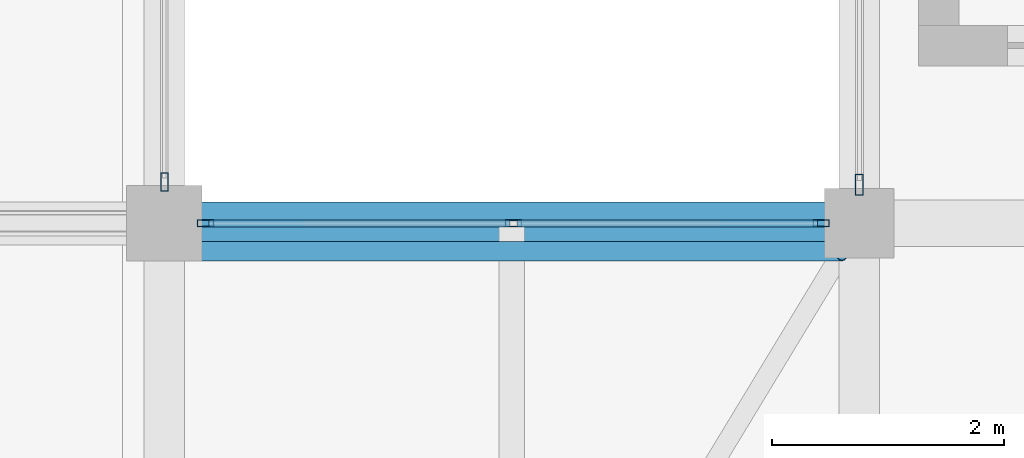
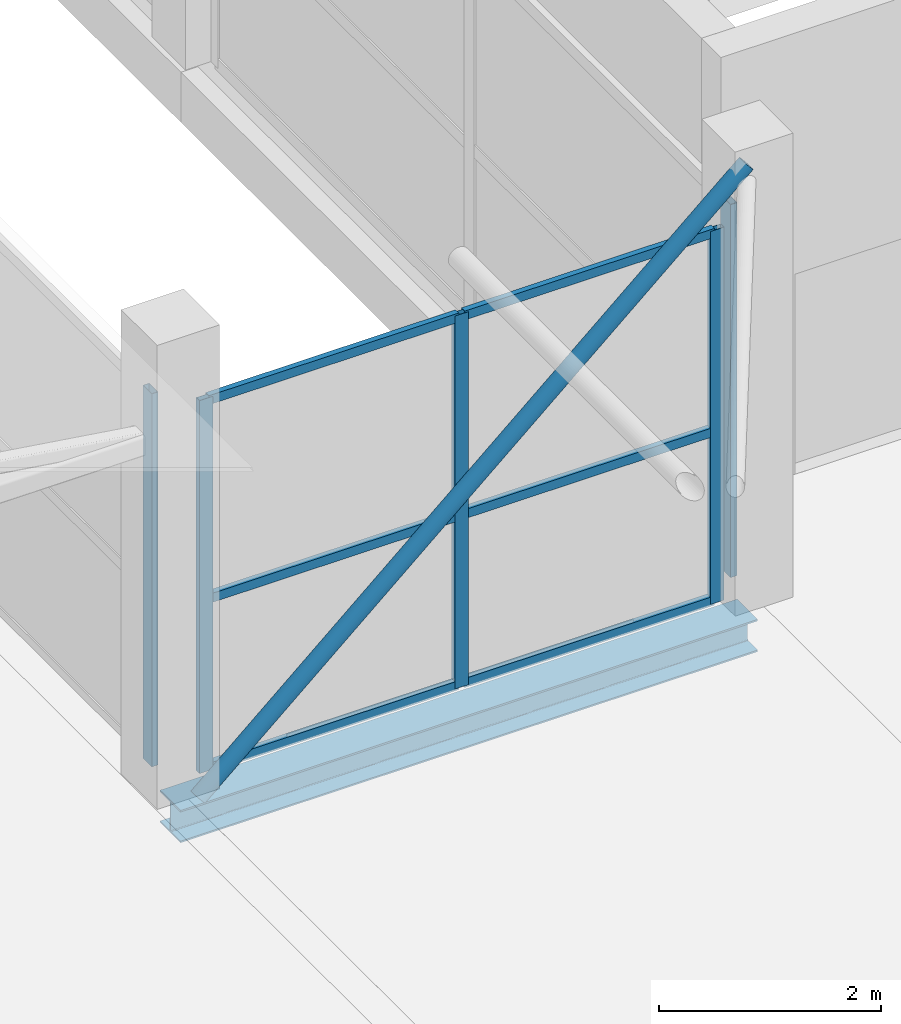
# One storey, part 14 of 58: 12 members, 1 beam, 3 elements without a shape of their own.
"""IFC4 building model written with IfcOpenShell, lengths in metres."""

from ifc_helpers import new_model, si_unit, direction, frame, origin, origin_2d, place, context, subcontext, project, spatial, hollow_rectangle, hollow_circle, i_section, extrude, material, layer, layer_set, material_profile, profile_set, type_object, element, aggregate, save


model = new_model("IFC4")

# Units and contexts
model_context = context("Model", 3, precision=1e-05, world=origin(), true_north=direction((0.0, 1.0)))
body_context = subcontext(model_context, "Body", "Model", "MODEL_VIEW")
ifc_project = project(units=[si_unit("LENGTHUNIT", "METRE"), si_unit("AREAUNIT", "SQUARE_METRE"), si_unit("VOLUMEUNIT", "CUBIC_METRE"), si_unit("PLANEANGLEUNIT", "RADIAN"), si_unit("MASSUNIT", "GRAM", prefix="KILO")], contexts=[model_context])

# Site, building, storey
site_placement = place(None, origin())
site = spatial("IfcSite", under=ifc_project, at=site_placement, CompositionType="ELEMENT")
building_placement = place(site_placement, origin())
building = spatial("IfcBuilding", under=site, at=building_placement, Name="Sillaruma Civic Art Gallery", CompositionType="ELEMENT")
storey_placement = place(building_placement, frame((0.0, 0.0, 52.02001953125)))
storey = spatial("IfcBuildingStorey", under=building, at=storey_placement, Name="L10", CompositionType="ELEMENT", Elevation=52.02001953125)

# Beam
ifc_material_1 = material(Name="Structural Steel ASTM A992 Gr.50", Category="steel")
ifc_material_profile_1 = material_profile(ifc_material_1, i_section(OverallWidth=0.368896484375, OverallDepth=0.35595703125, WebThickness=0.01123046875, FlangeThickness=0.01806640625, FilletRadius=0.014892578125, at=origin_2d()), Name="W360x134")
ifc_profile_set_1 = profile_set([ifc_material_profile_1], Name="Structural Steel ASTM A992 Gr.50")
beam_type = type_object("IfcBeamType", Name="BM-BRIDGE-W360x134", PredefinedType="SPANDREL", material=ifc_profile_set_1)
beam_placement = place(storey_placement, frame((92.0, 49.5, -0.387939453125), z_axis=(1.0, 0.0, 0.0), x_axis=(0.0, 1.0, 0.0)))
element("IfcBeam", 1, at=beam_placement, inside=storey, type_object=beam_type, Name="Sky-Bridge Steel Edge Girder (BRG-S:L10:N)", PredefinedType="SPANDREL", context=body_context, shape_type="SweptSolid", body=[
    extrude(i_section(OverallWidth=0.368896484375, OverallDepth=0.35595703125, WebThickness=0.01123046875, FlangeThickness=0.01806640625, FilletRadius=0.014892578125, at=origin_2d()), origin(), (0.0, 0.0, 1.0), 6.0),
])

# Member
ifc_material_2 = material(Name="Structural Steel ASTM A500 Gr.C", Category="steel")
ifc_material_profile_2 = material_profile(ifc_material_2, hollow_circle(Radius=0.084228515625, WallThickness=0.007080078125, at=origin_2d()), Name="CHS168.3x7.1")
ifc_profile_set_2 = profile_set([ifc_material_profile_2], Name="Structural Steel ASTM A500 Gr.C")
member_type_1 = type_object("IfcMemberType", Name="MEM-BRIDGE-BRACE", PredefinedType="BRACE", material=ifc_profile_set_2)
member_1_placement = place(storey_placement, frame((92.14990234375, 49.260009765625, -0.080078125), z_axis=(0.753735417324, 0.0, 0.657177997707), x_axis=(0.0, 1.0, 0.0)))
element("IfcMember", 2, at=member_1_placement, inside=storey, type_object=member_type_1, Name="Sky-Bridge Elevation Truss Web Brace (BRG-S:L10:N)", PredefinedType="BRACE", context=body_context, shape_type="SweptSolid", body=[
    extrude(hollow_circle(Radius=0.084228515625, WallThickness=0.007080078125, at=origin_2d()), origin(), (0.0, 0.0, 1.0), 7.5625),
])

# Curtain wall, members
ifc_material_3 = material(Name="Thermally Broken Extruded Aluminium 6063-T6", Category="aluminium")
ifc_layer_1 = layer(ifc_material_3, 0.139892578125, Name="Thermally Broken Extruded Aluminium 6063-T6")
ifc_layer_set_1 = layer_set([ifc_layer_1], Name="Thermally Broken Extruded Aluminium 6063-T6")
curtain_wall_type_1 = type_object("IfcCurtainWallType", Name="CW-UNI-85", PredefinedType="NOTDEFINED", material=ifc_layer_set_1)
curtain_wall_1_placement = place(storey_placement, origin())
curtain_wall_1 = element("IfcCurtainWall", 3, at=curtain_wall_1_placement, inside=storey, type_object=curtain_wall_type_1, Name="Unitised Curtain Wall CW-85 (CW-BRG-S-L10-N)", PredefinedType="NOTDEFINED")
ifc_material_profile_3 = material_profile(ifc_material_3, hollow_rectangle(XDim=0.06005859375, YDim=0.139892578125, WallThickness=0.00341796875, at=origin_2d()), Name="CWM60x140")
ifc_profile_set_3 = profile_set([ifc_material_profile_3], Name="Thermally Broken Extruded Aluminium 6063-T6")
member_type_2 = type_object("IfcMemberType", Name="MEM-MUL-CWM60x140", PredefinedType="MULLION", material=ifc_profile_set_3)
member_2_placement = place(storey_placement, frame((92.35498046875, 49.5, 0.0), z_axis=(0.0, 0.0, 1.0), x_axis=(0.0, 1.0, 0.0)))
member_2 = element("IfcMember", 4, at=member_2_placement, type_object=member_type_2, Name="CW-85 mullion 1", PredefinedType="MULLION", context=body_context, shape_type="SweptSolid", body=[
    extrude(hollow_rectangle(XDim=0.06005859375, YDim=0.139892578125, WallThickness=0.00341796875, at=origin_2d()), origin(), (0.0, 0.0, 1.0), 4.10009765625),
])
member_3_placement = place(storey_placement, frame((95.012451171875, 49.5, 0.0), z_axis=(0.0, 0.0, 1.0), x_axis=(0.0, 1.0, 0.0)))
member_3 = element("IfcMember", 5, at=member_3_placement, type_object=member_type_2, Name="CW-85 mullion 2", PredefinedType="MULLION", context=body_context, shape_type="SweptSolid", body=[
    extrude(hollow_rectangle(XDim=0.06005859375, YDim=0.139892578125, WallThickness=0.00341796875, at=origin_2d()), origin(), (0.0, 0.0, 1.0), 4.10009765625),
])
member_4_placement = place(storey_placement, frame((97.669921875, 49.5, 0.0), z_axis=(0.0, 0.0, 1.0), x_axis=(0.0, 1.0, 0.0)))
member_4 = element("IfcMember", 6, at=member_4_placement, type_object=member_type_2, Name="CW-85 mullion 3", PredefinedType="MULLION", context=body_context, shape_type="SweptSolid", body=[
    extrude(hollow_rectangle(XDim=0.06005859375, YDim=0.139892578125, WallThickness=0.00341796875, at=origin_2d()), origin(), (0.0, 0.0, 1.0), 4.10009765625),
])

# Curtain wall, member
ifc_layer_2 = layer(ifc_material_3, 0.159912109375, Name="Thermally Broken Extruded Aluminium 6063-T6")
ifc_layer_set_2 = layer_set([ifc_layer_2], Name="Thermally Broken Extruded Aluminium 6063-T6")
curtain_wall_type_2 = type_object("IfcCurtainWallType", Name="CW-UNI-69", PredefinedType="NOTDEFINED", material=ifc_layer_set_2)
curtain_wall_2_placement = place(storey_placement, origin())
curtain_wall_2 = element("IfcCurtainWall", 7, at=curtain_wall_2_placement, inside=storey, type_object=curtain_wall_type_2, Name="Unitised Curtain Wall CW-69 (CW-L10-WBE-4)", PredefinedType="NOTDEFINED")
ifc_material_profile_4 = material_profile(ifc_material_3, hollow_rectangle(XDim=0.06494140625, YDim=0.159912109375, WallThickness=0.00390625, at=origin_2d()), Name="CWM65x160")
ifc_profile_set_4 = profile_set([ifc_material_profile_4], Name="Thermally Broken Extruded Aluminium 6063-T6")
member_type_3 = type_object("IfcMemberType", Name="MEM-MUL-CWM65x160", PredefinedType="MULLION", material=ifc_profile_set_4)
member_5_placement = place(storey_placement, frame((92.0, 49.857421875, 0.0), z_axis=(0.0, 0.0, 1.0), x_axis=(-1.0, 0.0, 0.0)))
member_5 = element("IfcMember", 8, at=member_5_placement, type_object=member_type_3, Name="CW-69 mullion 1", PredefinedType="MULLION", context=body_context, shape_type="SweptSolid", body=[
    extrude(hollow_rectangle(XDim=0.06494140625, YDim=0.159912109375, WallThickness=0.00390625, at=origin_2d()), origin(), (0.0, 0.0, 1.0), 4.10009765625),
])
aggregate(curtain_wall_2, [member_5])

ifc_layer_3 = layer(ifc_material_3, 0.179931640625, Name="Thermally Broken Extruded Aluminium 6063-T6")
ifc_layer_set_3 = layer_set([ifc_layer_3], Name="Thermally Broken Extruded Aluminium 6063-T6")
curtain_wall_type_3 = type_object("IfcCurtainWallType", Name="CW-UNI-78", PredefinedType="NOTDEFINED", material=ifc_layer_set_3)
curtain_wall_3_placement = place(storey_placement, origin())
curtain_wall_3 = element("IfcCurtainWall", 9, at=curtain_wall_3_placement, inside=storey, type_object=curtain_wall_type_3, Name="Unitised Curtain Wall CW-78 (CW-L10-EBW-4)", PredefinedType="NOTDEFINED")
ifc_material_profile_5 = material_profile(ifc_material_3, hollow_rectangle(XDim=0.070068359375, YDim=0.179931640625, WallThickness=0.00390625, at=origin_2d()), Name="CWM70x180")
ifc_profile_set_5 = profile_set([ifc_material_profile_5], Name="Thermally Broken Extruded Aluminium 6063-T6")
member_type_4 = type_object("IfcMemberType", Name="MEM-MUL-CWM70x180", PredefinedType="MULLION", material=ifc_profile_set_5)
member_6_placement = place(storey_placement, frame((98.0, 49.8349609375, 0.0), z_axis=(0.0, 0.0, 1.0), x_axis=(-1.0, 0.0, 0.0)))
member_6 = element("IfcMember", 10, at=member_6_placement, type_object=member_type_4, Name="CW-78 mullion 1", PredefinedType="MULLION", context=body_context, shape_type="SweptSolid", body=[
    extrude(hollow_rectangle(XDim=0.070068359375, YDim=0.179931640625, WallThickness=0.00390625, at=origin_2d()), origin(), (0.0, 0.0, 1.0), 4.10009765625),
])
aggregate(curtain_wall_3, [member_6])

# Member
ifc_material_profile_6 = material_profile(ifc_material_3, hollow_rectangle(XDim=0.06005859375, YDim=0.10009765625, WallThickness=0.003173828125, at=origin_2d()), Name="CWT60x100")
ifc_profile_set_6 = profile_set([ifc_material_profile_6], Name="Thermally Broken Extruded Aluminium 6063-T6")
member_type_5 = type_object("IfcMemberType", Name="MEM-TRN-CWT60x100", PredefinedType="USERDEFINED", material=ifc_profile_set_6)
member_7_placement = place(storey_placement, frame((92.385009765625, 49.5, 0.030029296875), z_axis=(1.0, 0.0, 0.0), x_axis=(0.0, 1.0, 0.0)))
member_7 = element("IfcMember", 11, at=member_7_placement, type_object=member_type_5, Name="CW-85 transom 1.1", ObjectType="TRANSOM", PredefinedType="USERDEFINED", context=body_context, shape_type="SweptSolid", body=[
    extrude(hollow_rectangle(XDim=0.06005859375, YDim=0.10009765625, WallThickness=0.003173828125, at=origin_2d()), origin(), (0.0, 0.0, 1.0), 2.597412109375),
])

member_8_placement = place(storey_placement, frame((92.385009765625, 49.5, 1.885986328125), z_axis=(1.0, 0.0, 0.0), x_axis=(0.0, 1.0, 0.0)))
member_8 = element("IfcMember", 12, at=member_8_placement, type_object=member_type_5, Name="CW-85 transom 1.2", ObjectType="TRANSOM", PredefinedType="USERDEFINED", context=body_context, shape_type="SweptSolid", body=[
    extrude(hollow_rectangle(XDim=0.06005859375, YDim=0.10009765625, WallThickness=0.003173828125, at=origin_2d()), origin(), (0.0, 0.0, 1.0), 2.597412109375),
])

member_9_placement = place(storey_placement, frame((92.385009765625, 49.5, 4.070068359375), z_axis=(1.0, 0.0, 0.0), x_axis=(0.0, 1.0, 0.0)))
member_9 = element("IfcMember", 13, at=member_9_placement, type_object=member_type_5, Name="CW-85 transom 1.3", ObjectType="TRANSOM", PredefinedType="USERDEFINED", context=body_context, shape_type="SweptSolid", body=[
    extrude(hollow_rectangle(XDim=0.06005859375, YDim=0.10009765625, WallThickness=0.003173828125, at=origin_2d()), origin(), (0.0, 0.0, 1.0), 2.597412109375),
])

member_10_placement = place(storey_placement, frame((95.04248046875, 49.5, 0.030029296875), z_axis=(1.0, 0.0, 0.0), x_axis=(0.0, 1.0, 0.0)))
member_10 = element("IfcMember", 14, at=member_10_placement, type_object=member_type_5, Name="CW-85 transom 2.1", ObjectType="TRANSOM", PredefinedType="USERDEFINED", context=body_context, shape_type="SweptSolid", body=[
    extrude(hollow_rectangle(XDim=0.06005859375, YDim=0.10009765625, WallThickness=0.003173828125, at=origin_2d()), origin(), (0.0, 0.0, 1.0), 2.597412109375),
])

member_11_placement = place(storey_placement, frame((95.04248046875, 49.5, 1.885986328125), z_axis=(1.0, 0.0, 0.0), x_axis=(0.0, 1.0, 0.0)))
member_11 = element("IfcMember", 15, at=member_11_placement, type_object=member_type_5, Name="CW-85 transom 2.2", ObjectType="TRANSOM", PredefinedType="USERDEFINED", context=body_context, shape_type="SweptSolid", body=[
    extrude(hollow_rectangle(XDim=0.06005859375, YDim=0.10009765625, WallThickness=0.003173828125, at=origin_2d()), origin(), (0.0, 0.0, 1.0), 2.597412109375),
])

member_12_placement = place(storey_placement, frame((95.04248046875, 49.5, 4.070068359375), z_axis=(1.0, 0.0, 0.0), x_axis=(0.0, 1.0, 0.0)))
member_12 = element("IfcMember", 16, at=member_12_placement, type_object=member_type_5, Name="CW-85 transom 2.3", ObjectType="TRANSOM", PredefinedType="USERDEFINED", context=body_context, shape_type="SweptSolid", body=[
    extrude(hollow_rectangle(XDim=0.06005859375, YDim=0.10009765625, WallThickness=0.003173828125, at=origin_2d()), origin(), (0.0, 0.0, 1.0), 2.597412109375),
])

aggregate(curtain_wall_1, [member_2, member_3, member_4, member_7, member_8, member_9, member_10, member_11, member_12])

save(model, "model.ifc")
